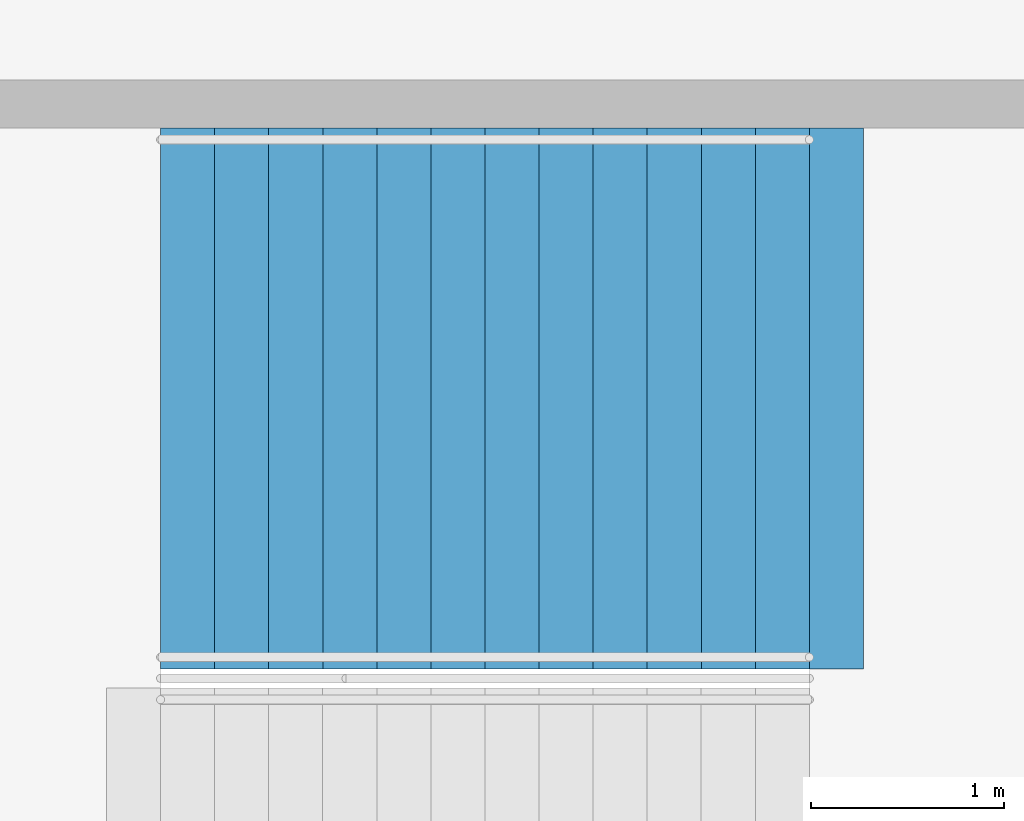
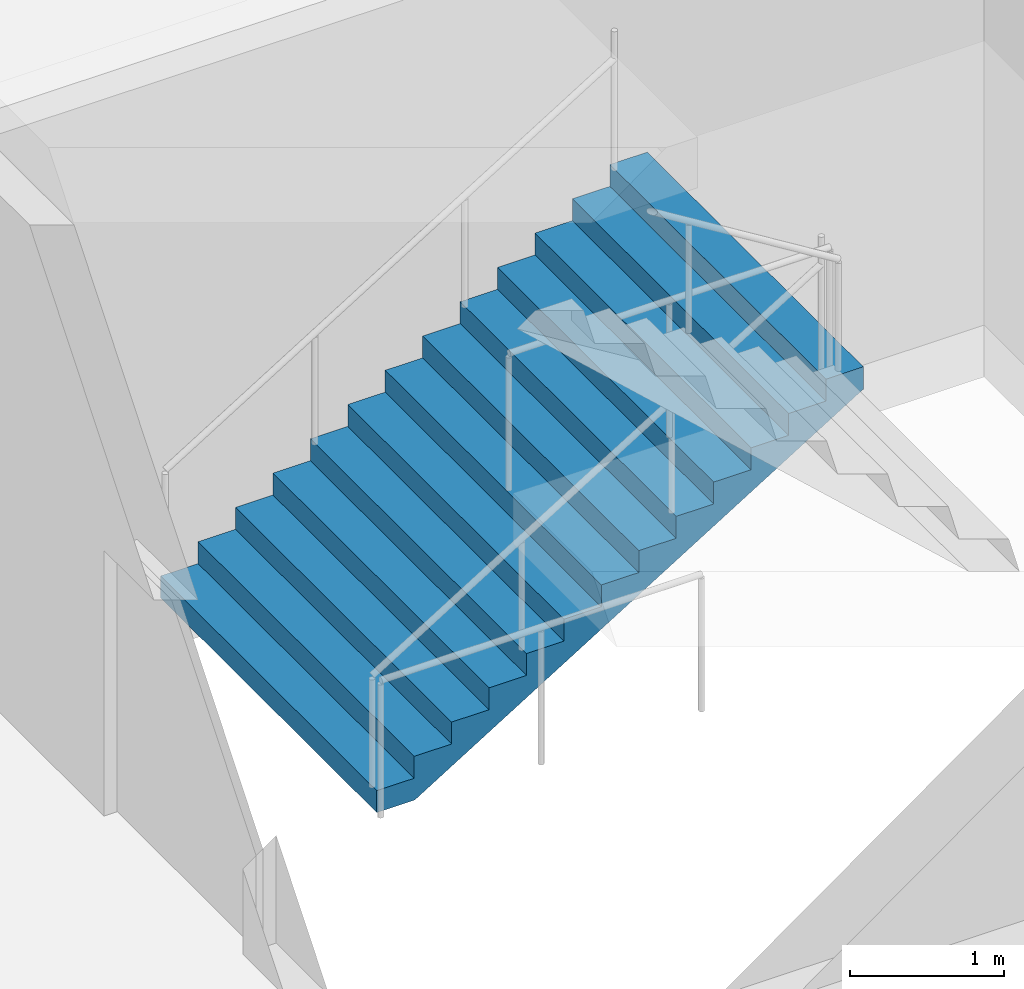
# One storey, part 144 of 199: 1 stair flight, 1 element without a shape of its own.
"""IFC4 building model written with IfcOpenShell, lengths in metres."""

import ifcopenshell
import ifcopenshell.guid

model = None  # the IFC model being written
_history = None  # IfcOwnerHistory: only IFC2X3 demands one
_inside = {}  # id of a spatial element -> (the spatial element, [elements in it])
_under = {}  # id of a project, library or spatial element -> (it, [spatial elements below it])
_declared = {}  # id of a project -> (the project, [libraries it declares])
_typed = {}  # id of a type object -> (the type object, [elements of that type])
_made_of = {}  # id of a material, layer set ... -> (it, [elements and type objects made of it])


def new_model(schema):
    """Start an empty IFC model of exactly this schema.

    Asked for "IFC4X3", IfcOpenShell would pick the latest addendum, in which some entities
    have other attributes; the version numbers below select the first issue.
    IFC2X3 requires an IfcOwnerHistory on every rooted entity: one is made here for all.
    """
    global model, _history
    if schema == "IFC4X3":
        model = ifcopenshell.file(schema_version=(4, 3, 0, 0))
    else:
        model = ifcopenshell.file(schema=schema)
    _inside.clear()
    _under.clear()
    _declared.clear()
    _typed.clear()
    _made_of.clear()
    _history = None
    if model.schema == "IFC2X3":
        org = make("IfcOrganization", Name="unknown")
        user = make(
            "IfcPersonAndOrganization",
            ThePerson=make("IfcPerson", FamilyName="unknown"),
            TheOrganization=org,
        )
        app = make(
            "IfcApplication",
            ApplicationDeveloper=org,
            Version="unknown",
            ApplicationFullName="unknown",
            ApplicationIdentifier="unknown",
        )
        _history = make(
            "IfcOwnerHistory",
            OwningUser=user,
            OwningApplication=app,
            ChangeAction="ADDED",
            CreationDate=0,
        )
    return model


def make(cls, **values):
    """One entity of the class cls with the attributes given. An attribute that is None is left unset."""
    return model.create_entity(
        cls, **{name: value for name, value in values.items() if value is not None}
    )


def rooted(cls, **values):
    """An entity with a GlobalId (a new one), such as an element, a storey or a relation."""
    return make(cls, GlobalId=ifcopenshell.guid.new(), OwnerHistory=_history, **values)


def si_unit(unit_type, name, prefix=None):
    """IfcSIUnit, for example si_unit("LENGTHUNIT", "METRE", prefix="MILLI")."""
    return make("IfcSIUnit", UnitType=unit_type, Prefix=prefix, Name=name)


def assignment(units):
    """IfcUnitAssignment: the units of a project."""
    return None if units is None else make("IfcUnitAssignment", Units=units)


def point(xyz):
    """IfcCartesianPoint."""
    return None if xyz is None else make("IfcCartesianPoint", Coordinates=xyz)


def direction(xyz):
    """IfcDirection."""
    return None if xyz is None else make("IfcDirection", DirectionRatios=xyz)


def frame(location, z_axis=None, x_axis=None):
    """IfcAxis2Placement3D, a coordinate frame: its origin and axes. An axis left out is left unset."""
    return make(
        "IfcAxis2Placement3D",
        Location=point(location),
        Axis=direction(z_axis),
        RefDirection=direction(x_axis),
    )


def origin():
    """The frame at (0, 0, 0) with its axes left unset."""
    return frame((0.0, 0.0, 0.0))


def place(relative_to, where):
    """IfcLocalPlacement: puts the frame where relative to a parent placement (None: the world)."""
    return make(
        "IfcLocalPlacement", PlacementRelTo=relative_to, RelativePlacement=where
    )


def context(
    kind, dimensions, precision=None, world=None, true_north=None, identifier=None
):
    """IfcGeometricRepresentationContext, for example the 3D "Model" context."""
    return make(
        "IfcGeometricRepresentationContext",
        ContextIdentifier=identifier,
        ContextType=kind,
        CoordinateSpaceDimension=dimensions,
        Precision=precision,
        WorldCoordinateSystem=world,
        TrueNorth=true_north,
    )


def subcontext(parent, identifier, kind, view, scale=None):
    """IfcGeometricRepresentationSubContext, for example "Body" below "Model"."""
    return make(
        "IfcGeometricRepresentationSubContext",
        ContextIdentifier=identifier,
        ContextType=kind,
        ParentContext=parent,
        TargetScale=scale,
        TargetView=view,
    )


def project(units=None, contexts=None):
    """IfcProject with its units and contexts."""
    return rooted(
        "IfcProject",
        Name="project",
        RepresentationContexts=contexts,
        UnitsInContext=assignment(units),
    )


def spatial(cls, under=None, at=None, **own):
    """A site, building, storey or space (cls), placed at a placement, below another one or the project."""
    s = rooted(cls, ObjectPlacement=at, **own)
    if under is not None:
        _under.setdefault(under.id(), (under, []))[1].append(s)
    return s


def faces_of(points, faces, orient=None, outer=None):
    """IfcFace entities. A face is a list of loops; a loop is a list of indices into points, from 0.

    orient and outer hold one flag for each loop. By default every Orientation is true, the
    first loop of a face is its IfcFaceOuterBound and the others are IfcFaceBound.
    """
    made = []
    for i, loops in enumerate(faces):
        bounds = []
        for j, loop in enumerate(loops):
            is_outer = j == 0 if outer is None else outer[i][j]
            bounds.append(
                make(
                    "IfcFaceOuterBound" if is_outer else "IfcFaceBound",
                    Bound=make("IfcPolyLoop", Polygon=[points[k] for k in loop]),
                    Orientation=True if orient is None else orient[i][j],
                )
            )
        made.append(make("IfcFace", Bounds=bounds))
    return made


def faceted_brep(points, faces, orient=None, outer=None, voids=None):
    """IfcFacetedBrep: a solid bounded by flat faces; with voids (closed shells), ...WithVoids."""
    shared = [point(p) for p in points]
    hull = make("IfcClosedShell", CfsFaces=faces_of(shared, faces, orient, outer))
    if voids is None:
        return make("IfcFacetedBrep", Outer=hull)
    return make(
        "IfcFacetedBrepWithVoids",
        Outer=hull,
        Voids=[
            make(cls, CfsFaces=faces_of(shared, fs, o, b)) for cls, fs, o, b in voids
        ],
    )


def shape(context_of_items, identifier, shape_type, items):
    """IfcShapeRepresentation: the items that make up one representation, for example the "Body"."""
    return make(
        "IfcShapeRepresentation",
        ContextOfItems=context_of_items,
        RepresentationIdentifier=identifier,
        RepresentationType=shape_type,
        Items=items,
    )


def material(Name=None, Category=None):
    """IfcMaterial."""
    return make("IfcMaterial", Name=Name, Category=Category)


def made_of(thing, what):
    """Note that an element or type object is made of a material, layer set ...; save() writes the relation."""
    if what is not None:
        _made_of.setdefault(what.id(), (what, []))[1].append(thing)
    return thing


def type_object(cls, material=None, **own):
    """A type object (cls), such as IfcWallType, which elements share."""
    return made_of(rooted(cls, **own), material)


def element(
    cls,
    number,
    at=None,
    inside=None,
    cuts=None,
    type_object=None,
    material=None,
    context=None,
    identifier="Body",
    shape_type=None,
    held_by="IfcProductDefinitionShape",
    body=None,
    shapes=None,
    **own,
):
    """One element of the class cls, such as IfcWall. Its Tag is "e" and its number.

    at: its placement. inside: the storey or other place that contains it. cuts: it is an
    opening in that element (IfcRelVoidsElement). A single representation is given by context,
    identifier, shape_type and body (its items); several are given by shapes. held_by: the class
    of the entity that holds the representations. save() writes the other relations.
    """
    e = rooted(cls, Tag="e%d" % number, ObjectPlacement=at, **own)
    if body is not None:
        shapes = [shape(context, identifier, shape_type, body)]
    if shapes is not None:
        e.Representation = make(held_by, Representations=shapes)
    if inside is not None:
        _inside.setdefault(inside.id(), (inside, []))[1].append(e)
    if cuts is not None:
        rooted(
            "IfcRelVoidsElement", RelatingBuildingElement=cuts, RelatedOpeningElement=e
        )
    if type_object is not None:
        _typed.setdefault(type_object.id(), (type_object, []))[1].append(e)
    return made_of(e, material)


def aggregate(whole, parts):
    """IfcRelAggregates: a whole, such as a stair, and the parts it consists of."""
    return rooted("IfcRelAggregates", RelatingObject=whole, RelatedObjects=parts)


def save(model, path):
    """Write the relations noted so far, then the file.

    IfcRelAggregates (storeys below a building ...), IfcRelContainedInSpatialStructure (elements
    in a storey), IfcRelDefinesByType, IfcRelAssociatesMaterial and IfcRelDeclares: one each for
    every whole, place, type object, material and project.
    """
    for whole, parts in _under.values():
        aggregate(whole, parts)
    for where, things in _inside.values():
        rooted(
            "IfcRelContainedInSpatialStructure",
            RelatedElements=things,
            RelatingStructure=where,
        )
    for kind, things in _typed.values():
        rooted("IfcRelDefinesByType", RelatedObjects=things, RelatingType=kind)
    for what, things in _made_of.values():
        rooted("IfcRelAssociatesMaterial", RelatedObjects=things, RelatingMaterial=what)
    for by, libraries in _declared.values():
        rooted("IfcRelDeclares", RelatingContext=by, RelatedDefinitions=libraries)
    model.write(path)


model = new_model("IFC4")

# Units and contexts
model_context = context("Model", 3, precision=1e-05, world=origin(), true_north=direction((0.0, 1.0)))
body_context = subcontext(model_context, "Body", "Model", "MODEL_VIEW")
ifc_project = project(units=[si_unit("LENGTHUNIT", "METRE"), si_unit("AREAUNIT", "SQUARE_METRE"), si_unit("VOLUMEUNIT", "CUBIC_METRE"), si_unit("PLANEANGLEUNIT", "RADIAN"), si_unit("MASSUNIT", "GRAM", prefix="KILO")], contexts=[model_context])

# Site, building, storey
site_placement = place(None, origin())
site = spatial("IfcSite", under=ifc_project, at=site_placement, CompositionType="ELEMENT")
building_placement = place(site_placement, origin())
building = spatial("IfcBuilding", under=site, at=building_placement, Name="Ogive Plaza Stadium", CompositionType="ELEMENT")
storey_placement = place(building_placement, frame((0.0, 0.0, 4.5)))
storey = spatial("IfcBuildingStorey", under=building, at=storey_placement, Name="L01", CompositionType="ELEMENT", Elevation=4.5)

# Stair, stair flight
ifc_material_1 = material(Name="Concrete C40/50", Category="concrete")
stair_type = type_object("IfcStairType", Name="Exit stair", PredefinedType="STRAIGHT_RUN_STAIR", material=ifc_material_1)
stair_placement = place(storey_placement, origin())
stair = element("IfcStair", 1, at=stair_placement, inside=storey, type_object=stair_type, Name="Exit stair ST08B L01 to L02", PredefinedType="STRAIGHT_RUN_STAIR")
ifc_material_2 = material(Name="Concrete C40/50", Category="concrete")
stair_flight_type = type_object("IfcStairFlightType", Name="Exit stair flight", PredefinedType="STRAIGHT", material=ifc_material_2)
stair_flight_placement = place(storey_placement, frame((76.35009765625, -48.074951171875, 0.0), z_axis=(0.0, 0.0, 1.0), x_axis=(1.0, 0.0, 0.0)))
stair_flight = element("IfcStairFlight", 2, at=stair_flight_placement, type_object=stair_flight_type, Name="ST08B flight 1", NumberOfRisers=13, NumberOfTreads=12, PredefinedType="STRAIGHT", RiserHeight=0.173076923, TreadLength=0.28, context=body_context, shape_type="Brep", body=[
    faceted_brep([(0.28515625, -1.39990234375, 0.0), (3.639892578125, -1.39990234375, 2.07373046875), (3.639892578125, -1.39990234375, 2.25), (3.360107421875, -1.39990234375, 2.25), (3.360107421875, -1.39990234375, 2.076904296875), (3.080078125, -1.39990234375, 2.076904296875), (3.080078125, -1.39990234375, 1.90380859375), (2.800048828125, -1.39990234375, 1.90380859375), (2.800048828125, -1.39990234375, 1.730712890625), (2.52001953125, -1.39990234375, 1.730712890625), (2.52001953125, -1.39990234375, 1.5576171875), (2.239990234375, -1.39990234375, 1.5576171875), (2.239990234375, -1.39990234375, 1.384521484375), (1.9599609375, -1.39990234375, 1.384521484375), (1.9599609375, -1.39990234375, 1.21142578125), (1.679931640625, -1.39990234375, 1.21142578125), (1.679931640625, -1.39990234375, 1.03857421875), (1.39990234375, -1.39990234375, 1.03857421875), (1.39990234375, -1.39990234375, 0.865478515625), (1.1201171875, -1.39990234375, 0.865478515625), (1.1201171875, -1.39990234375, 0.6923828125), (0.840087890625, -1.39990234375, 0.6923828125), (0.840087890625, -1.39990234375, 0.519287109375), (0.56005859375, -1.39990234375, 0.519287109375), (0.56005859375, -1.39990234375, 0.34619140625), (0.280029296875, -1.39990234375, 0.34619140625), (0.280029296875, -1.39990234375, 0.173095703125), (0.0, -1.39990234375, 0.173095703125), (0.0, -1.39990234375, 0.0), (0.0, 1.39990234375, 0.0), (0.0, 1.39990234375, 0.173095703125), (0.280029296875, 1.39990234375, 0.173095703125), (0.280029296875, 1.39990234375, 0.34619140625), (0.56005859375, 1.39990234375, 0.34619140625), (0.56005859375, 1.39990234375, 0.519287109375), (0.840087890625, 1.39990234375, 0.519287109375), (0.840087890625, 1.39990234375, 0.6923828125), (1.1201171875, 1.39990234375, 0.6923828125), (1.1201171875, 1.39990234375, 0.865478515625), (1.39990234375, 1.39990234375, 0.865478515625), (1.39990234375, 1.39990234375, 1.03857421875), (1.679931640625, 1.39990234375, 1.03857421875), (1.679931640625, 1.39990234375, 1.21142578125), (1.9599609375, 1.39990234375, 1.21142578125), (1.9599609375, 1.39990234375, 1.384521484375), (2.239990234375, 1.39990234375, 1.384521484375), (2.239990234375, 1.39990234375, 1.5576171875), (2.52001953125, 1.39990234375, 1.5576171875), (2.52001953125, 1.39990234375, 1.730712890625), (2.800048828125, 1.39990234375, 1.730712890625), (2.800048828125, 1.39990234375, 1.90380859375), (3.080078125, 1.39990234375, 1.90380859375), (3.080078125, 1.39990234375, 2.076904296875), (3.360107421875, 1.39990234375, 2.076904296875), (3.360107421875, 1.39990234375, 2.25), (3.639892578125, 1.39990234375, 2.25), (3.639892578125, 1.39990234375, 2.07373046875), (0.28515625, 1.39990234375, 0.0), (0.28515625, -1.0888671875, 0.0), (3.639892578125, -1.0888671875, 2.07373046875), (0.28515625, -0.77783203125, 0.0), (3.639892578125, -0.77783203125, 2.07373046875), (0.28515625, -0.466796875, 0.0), (3.639892578125, -0.466796875, 2.07373046875), (0.28515625, -0.155517578125, 0.0), (3.639892578125, -0.155517578125, 2.07373046875), (0.28515625, 0.155517578125, 0.0), (3.639892578125, 0.155517578125, 2.07373046875), (0.28515625, 0.466796875, 0.0), (3.639892578125, 0.466796875, 2.07373046875), (0.28515625, 0.77783203125, 0.0), (3.639892578125, 0.77783203125, 2.07373046875), (0.28515625, 1.0888671875, 0.0), (3.639892578125, 1.0888671875, 2.07373046875), (3.639892578125, -1.0888671875, 2.25), (3.639892578125, -0.77783203125, 2.25), (3.639892578125, -0.466796875, 2.25), (3.639892578125, -0.155517578125, 2.25), (3.639892578125, 0.155517578125, 2.25), (3.639892578125, 0.466796875, 2.25), (3.639892578125, 0.77783203125, 2.25), (3.639892578125, 1.0888671875, 2.25), (3.360107421875, -1.0888671875, 2.25), (3.360107421875, -0.77783203125, 2.25), (3.360107421875, -0.466796875, 2.25), (3.360107421875, -0.155517578125, 2.25), (3.360107421875, 0.155517578125, 2.25), (3.360107421875, 0.466796875, 2.25), (3.360107421875, 0.77783203125, 2.25), (3.360107421875, 1.0888671875, 2.25), (3.360107421875, -1.0888671875, 2.076904296875), (3.360107421875, -0.77783203125, 2.076904296875), (3.360107421875, -0.466796875, 2.076904296875), (3.360107421875, -0.155517578125, 2.076904296875), (3.360107421875, 0.155517578125, 2.076904296875), (3.360107421875, 0.466796875, 2.076904296875), (3.360107421875, 0.77783203125, 2.076904296875), (3.360107421875, 1.0888671875, 2.076904296875), (3.080078125, -1.0888671875, 2.076904296875), (3.080078125, -0.77783203125, 2.076904296875), (3.080078125, -0.466796875, 2.076904296875), (3.080078125, -0.155517578125, 2.076904296875), (3.080078125, 0.155517578125, 2.076904296875), (3.080078125, 0.466796875, 2.076904296875), (3.080078125, 0.77783203125, 2.076904296875), (3.080078125, 1.0888671875, 2.076904296875), (3.080078125, -1.0888671875, 1.90380859375), (3.080078125, -0.77783203125, 1.90380859375), (3.080078125, -0.466796875, 1.90380859375), (3.080078125, -0.155517578125, 1.90380859375), (3.080078125, 0.155517578125, 1.90380859375), (3.080078125, 0.466796875, 1.90380859375), (3.080078125, 0.77783203125, 1.90380859375), (3.080078125, 1.0888671875, 1.90380859375), (2.800048828125, -1.0888671875, 1.90380859375), (2.800048828125, -0.77783203125, 1.90380859375), (2.800048828125, -0.466796875, 1.90380859375), (2.800048828125, -0.155517578125, 1.90380859375), (2.800048828125, 0.155517578125, 1.90380859375), (2.800048828125, 0.466796875, 1.90380859375), (2.800048828125, 0.77783203125, 1.90380859375), (2.800048828125, 1.0888671875, 1.90380859375), (2.800048828125, -1.0888671875, 1.730712890625), (2.800048828125, -0.77783203125, 1.730712890625), (2.800048828125, -0.466796875, 1.730712890625), (2.800048828125, -0.155517578125, 1.730712890625), (2.800048828125, 0.155517578125, 1.730712890625), (2.800048828125, 0.466796875, 1.730712890625), (2.800048828125, 0.77783203125, 1.730712890625), (2.800048828125, 1.0888671875, 1.730712890625), (2.52001953125, -1.0888671875, 1.730712890625), (2.52001953125, -0.77783203125, 1.730712890625), (2.52001953125, -0.466796875, 1.730712890625), (2.52001953125, -0.155517578125, 1.730712890625), (2.52001953125, 0.155517578125, 1.730712890625), (2.52001953125, 0.466796875, 1.730712890625), (2.52001953125, 0.77783203125, 1.730712890625), (2.52001953125, 1.0888671875, 1.730712890625), (2.52001953125, -1.0888671875, 1.5576171875), (2.52001953125, -0.77783203125, 1.5576171875), (2.52001953125, -0.466796875, 1.5576171875), (2.52001953125, -0.155517578125, 1.5576171875), (2.52001953125, 0.155517578125, 1.5576171875), (2.52001953125, 0.466796875, 1.5576171875), (2.52001953125, 0.77783203125, 1.5576171875), (2.52001953125, 1.0888671875, 1.5576171875), (2.239990234375, -1.0888671875, 1.5576171875), (2.239990234375, -0.77783203125, 1.5576171875), (2.239990234375, -0.466796875, 1.5576171875), (2.239990234375, -0.155517578125, 1.5576171875), (2.239990234375, 0.155517578125, 1.5576171875), (2.239990234375, 0.466796875, 1.5576171875), (2.239990234375, 0.77783203125, 1.5576171875), (2.239990234375, 1.0888671875, 1.5576171875), (2.239990234375, -1.0888671875, 1.384521484375), (2.239990234375, -0.77783203125, 1.384521484375), (2.239990234375, -0.466796875, 1.384521484375), (2.239990234375, -0.155517578125, 1.384521484375), (2.239990234375, 0.155517578125, 1.384521484375), (2.239990234375, 0.466796875, 1.384521484375), (2.239990234375, 0.77783203125, 1.384521484375), (2.239990234375, 1.0888671875, 1.384521484375), (1.9599609375, -1.0888671875, 1.384521484375), (1.9599609375, -0.77783203125, 1.384521484375), (1.9599609375, -0.466796875, 1.384521484375), (1.9599609375, -0.155517578125, 1.384521484375), (1.9599609375, 0.155517578125, 1.384521484375), (1.9599609375, 0.466796875, 1.384521484375), (1.9599609375, 0.77783203125, 1.384521484375), (1.9599609375, 1.0888671875, 1.384521484375), (1.9599609375, -1.0888671875, 1.21142578125), (1.9599609375, -0.77783203125, 1.21142578125), (1.9599609375, -0.466796875, 1.21142578125), (1.9599609375, -0.155517578125, 1.21142578125), (1.9599609375, 0.155517578125, 1.21142578125), (1.9599609375, 0.466796875, 1.21142578125), (1.9599609375, 0.77783203125, 1.21142578125), (1.9599609375, 1.0888671875, 1.21142578125), (1.679931640625, -1.0888671875, 1.21142578125), (1.679931640625, -0.77783203125, 1.21142578125), (1.679931640625, -0.466796875, 1.21142578125), (1.679931640625, -0.155517578125, 1.21142578125), (1.679931640625, 0.155517578125, 1.21142578125), (1.679931640625, 0.466796875, 1.21142578125), (1.679931640625, 0.77783203125, 1.21142578125), (1.679931640625, 1.0888671875, 1.21142578125), (1.679931640625, -1.0888671875, 1.03857421875), (1.679931640625, -0.77783203125, 1.03857421875), (1.679931640625, -0.466796875, 1.03857421875), (1.679931640625, -0.155517578125, 1.03857421875), (1.679931640625, 0.155517578125, 1.03857421875), (1.679931640625, 0.466796875, 1.03857421875), (1.679931640625, 0.77783203125, 1.03857421875), (1.679931640625, 1.0888671875, 1.03857421875), (1.39990234375, -1.0888671875, 1.03857421875), (1.39990234375, -0.77783203125, 1.03857421875), (1.39990234375, -0.466796875, 1.03857421875), (1.39990234375, -0.155517578125, 1.03857421875), (1.39990234375, 0.155517578125, 1.03857421875), (1.39990234375, 0.466796875, 1.03857421875), (1.39990234375, 0.77783203125, 1.03857421875), (1.39990234375, 1.0888671875, 1.03857421875), (1.39990234375, -1.0888671875, 0.865478515625), (1.39990234375, -0.77783203125, 0.865478515625), (1.39990234375, -0.466796875, 0.865478515625), (1.39990234375, -0.155517578125, 0.865478515625), (1.39990234375, 0.155517578125, 0.865478515625), (1.39990234375, 0.466796875, 0.865478515625), (1.39990234375, 0.77783203125, 0.865478515625), (1.39990234375, 1.0888671875, 0.865478515625), (1.1201171875, -1.0888671875, 0.865478515625), (1.1201171875, -0.77783203125, 0.865478515625), (1.1201171875, -0.466796875, 0.865478515625), (1.1201171875, -0.155517578125, 0.865478515625), (1.1201171875, 0.155517578125, 0.865478515625), (1.1201171875, 0.466796875, 0.865478515625), (1.1201171875, 0.77783203125, 0.865478515625), (1.1201171875, 1.0888671875, 0.865478515625), (1.1201171875, -1.0888671875, 0.6923828125), (1.1201171875, -0.77783203125, 0.6923828125), (1.1201171875, -0.466796875, 0.6923828125), (1.1201171875, -0.155517578125, 0.6923828125), (1.1201171875, 0.155517578125, 0.6923828125), (1.1201171875, 0.466796875, 0.6923828125), (1.1201171875, 0.77783203125, 0.6923828125), (1.1201171875, 1.0888671875, 0.6923828125), (0.840087890625, -1.0888671875, 0.6923828125), (0.840087890625, -0.77783203125, 0.6923828125), (0.840087890625, -0.466796875, 0.6923828125), (0.840087890625, -0.155517578125, 0.6923828125), (0.840087890625, 0.155517578125, 0.6923828125), (0.840087890625, 0.466796875, 0.6923828125), (0.840087890625, 0.77783203125, 0.6923828125), (0.840087890625, 1.0888671875, 0.6923828125), (0.840087890625, -1.0888671875, 0.519287109375), (0.840087890625, -0.77783203125, 0.519287109375), (0.840087890625, -0.466796875, 0.519287109375), (0.840087890625, -0.155517578125, 0.519287109375), (0.840087890625, 0.155517578125, 0.519287109375), (0.840087890625, 0.466796875, 0.519287109375), (0.840087890625, 0.77783203125, 0.519287109375), (0.840087890625, 1.0888671875, 0.519287109375), (0.56005859375, -1.0888671875, 0.519287109375), (0.56005859375, -0.77783203125, 0.519287109375), (0.56005859375, -0.466796875, 0.519287109375), (0.56005859375, -0.155517578125, 0.519287109375), (0.56005859375, 0.155517578125, 0.519287109375), (0.56005859375, 0.466796875, 0.519287109375), (0.56005859375, 0.77783203125, 0.519287109375), (0.56005859375, 1.0888671875, 0.519287109375), (0.56005859375, -1.0888671875, 0.34619140625), (0.56005859375, -0.77783203125, 0.34619140625), (0.56005859375, -0.466796875, 0.34619140625), (0.56005859375, -0.155517578125, 0.34619140625), (0.56005859375, 0.155517578125, 0.34619140625), (0.56005859375, 0.466796875, 0.34619140625), (0.56005859375, 0.77783203125, 0.34619140625), (0.56005859375, 1.0888671875, 0.34619140625), (0.280029296875, -1.0888671875, 0.34619140625), (0.280029296875, -0.77783203125, 0.34619140625), (0.280029296875, -0.466796875, 0.34619140625), (0.280029296875, -0.155517578125, 0.34619140625), (0.280029296875, 0.155517578125, 0.34619140625), (0.280029296875, 0.466796875, 0.34619140625), (0.280029296875, 0.77783203125, 0.34619140625), (0.280029296875, 1.0888671875, 0.34619140625), (0.280029296875, -1.0888671875, 0.173095703125), (0.280029296875, -0.77783203125, 0.173095703125), (0.280029296875, -0.466796875, 0.173095703125), (0.280029296875, -0.155517578125, 0.173095703125), (0.280029296875, 0.155517578125, 0.173095703125), (0.280029296875, 0.466796875, 0.173095703125), (0.280029296875, 0.77783203125, 0.173095703125), (0.280029296875, 1.0888671875, 0.173095703125), (0.0, -1.0888671875, 0.173095703125), (0.0, -0.77783203125, 0.173095703125), (0.0, -0.466796875, 0.173095703125), (0.0, -0.155517578125, 0.173095703125), (0.0, 0.155517578125, 0.173095703125), (0.0, 0.466796875, 0.173095703125), (0.0, 0.77783203125, 0.173095703125), (0.0, 1.0888671875, 0.173095703125), (0.0, -1.0888671875, 0.0), (0.0, -0.77783203125, 0.0), (0.0, -0.466796875, 0.0), (0.0, -0.155517578125, 0.0), (0.0, 0.155517578125, 0.0), (0.0, 0.466796875, 0.0), (0.0, 0.77783203125, 0.0), (0.0, 1.0888671875, 0.0)], [[[0, 1, 2, 3, 4, 5, 6, 7, 8, 9, 10, 11, 12, 13, 14, 15, 16, 17, 18, 19, 20, 21, 22, 23, 24, 25, 26, 27, 28]], [[29, 30, 31, 32, 33, 34, 35, 36, 37, 38, 39, 40, 41, 42, 43, 44, 45, 46, 47, 48, 49, 50, 51, 52, 53, 54, 55, 56, 57]], [[0, 58, 59, 1]], [[58, 60, 61, 59]], [[60, 62, 63, 61]], [[62, 64, 65, 63]], [[64, 66, 67, 65]], [[66, 68, 69, 67]], [[68, 70, 71, 69]], [[70, 72, 73, 71]], [[72, 57, 56, 73]], [[1, 59, 74, 2]], [[59, 61, 75, 74]], [[61, 63, 76, 75]], [[63, 65, 77, 76]], [[65, 67, 78, 77]], [[67, 69, 79, 78]], [[69, 71, 80, 79]], [[71, 73, 81, 80]], [[73, 56, 55, 81]], [[2, 74, 82, 3]], [[74, 75, 83, 82]], [[75, 76, 84, 83]], [[76, 77, 85, 84]], [[77, 78, 86, 85]], [[78, 79, 87, 86]], [[79, 80, 88, 87]], [[80, 81, 89, 88]], [[81, 55, 54, 89]], [[3, 82, 90, 4]], [[82, 83, 91, 90]], [[83, 84, 92, 91]], [[84, 85, 93, 92]], [[85, 86, 94, 93]], [[86, 87, 95, 94]], [[87, 88, 96, 95]], [[88, 89, 97, 96]], [[89, 54, 53, 97]], [[4, 90, 98, 5]], [[90, 91, 99, 98]], [[91, 92, 100, 99]], [[92, 93, 101, 100]], [[93, 94, 102, 101]], [[94, 95, 103, 102]], [[95, 96, 104, 103]], [[96, 97, 105, 104]], [[97, 53, 52, 105]], [[5, 98, 106, 6]], [[98, 99, 107, 106]], [[99, 100, 108, 107]], [[100, 101, 109, 108]], [[101, 102, 110, 109]], [[102, 103, 111, 110]], [[103, 104, 112, 111]], [[104, 105, 113, 112]], [[105, 52, 51, 113]], [[6, 106, 114, 7]], [[106, 107, 115, 114]], [[107, 108, 116, 115]], [[108, 109, 117, 116]], [[109, 110, 118, 117]], [[110, 111, 119, 118]], [[111, 112, 120, 119]], [[112, 113, 121, 120]], [[113, 51, 50, 121]], [[7, 114, 122, 8]], [[114, 115, 123, 122]], [[115, 116, 124, 123]], [[116, 117, 125, 124]], [[117, 118, 126, 125]], [[118, 119, 127, 126]], [[119, 120, 128, 127]], [[120, 121, 129, 128]], [[121, 50, 49, 129]], [[8, 122, 130, 9]], [[122, 123, 131, 130]], [[123, 124, 132, 131]], [[124, 125, 133, 132]], [[125, 126, 134, 133]], [[126, 127, 135, 134]], [[127, 128, 136, 135]], [[128, 129, 137, 136]], [[129, 49, 48, 137]], [[9, 130, 138, 10]], [[130, 131, 139, 138]], [[131, 132, 140, 139]], [[132, 133, 141, 140]], [[133, 134, 142, 141]], [[134, 135, 143, 142]], [[135, 136, 144, 143]], [[136, 137, 145, 144]], [[137, 48, 47, 145]], [[10, 138, 146, 11]], [[138, 139, 147, 146]], [[139, 140, 148, 147]], [[140, 141, 149, 148]], [[141, 142, 150, 149]], [[142, 143, 151, 150]], [[143, 144, 152, 151]], [[144, 145, 153, 152]], [[145, 47, 46, 153]], [[11, 146, 154, 12]], [[146, 147, 155, 154]], [[147, 148, 156, 155]], [[148, 149, 157, 156]], [[149, 150, 158, 157]], [[150, 151, 159, 158]], [[151, 152, 160, 159]], [[152, 153, 161, 160]], [[153, 46, 45, 161]], [[12, 154, 162, 13]], [[154, 155, 163, 162]], [[155, 156, 164, 163]], [[156, 157, 165, 164]], [[157, 158, 166, 165]], [[158, 159, 167, 166]], [[159, 160, 168, 167]], [[160, 161, 169, 168]], [[161, 45, 44, 169]], [[13, 162, 170, 14]], [[162, 163, 171, 170]], [[163, 164, 172, 171]], [[164, 165, 173, 172]], [[165, 166, 174, 173]], [[166, 167, 175, 174]], [[167, 168, 176, 175]], [[168, 169, 177, 176]], [[169, 44, 43, 177]], [[14, 170, 178, 15]], [[170, 171, 179, 178]], [[171, 172, 180, 179]], [[172, 173, 181, 180]], [[173, 174, 182, 181]], [[174, 175, 183, 182]], [[175, 176, 184, 183]], [[176, 177, 185, 184]], [[177, 43, 42, 185]], [[15, 178, 186, 16]], [[178, 179, 187, 186]], [[179, 180, 188, 187]], [[180, 181, 189, 188]], [[181, 182, 190, 189]], [[182, 183, 191, 190]], [[183, 184, 192, 191]], [[184, 185, 193, 192]], [[185, 42, 41, 193]], [[16, 186, 194, 17]], [[186, 187, 195, 194]], [[187, 188, 196, 195]], [[188, 189, 197, 196]], [[189, 190, 198, 197]], [[190, 191, 199, 198]], [[191, 192, 200, 199]], [[192, 193, 201, 200]], [[193, 41, 40, 201]], [[17, 194, 202, 18]], [[194, 195, 203, 202]], [[195, 196, 204, 203]], [[196, 197, 205, 204]], [[197, 198, 206, 205]], [[198, 199, 207, 206]], [[199, 200, 208, 207]], [[200, 201, 209, 208]], [[201, 40, 39, 209]], [[18, 202, 210, 19]], [[202, 203, 211, 210]], [[203, 204, 212, 211]], [[204, 205, 213, 212]], [[205, 206, 214, 213]], [[206, 207, 215, 214]], [[207, 208, 216, 215]], [[208, 209, 217, 216]], [[209, 39, 38, 217]], [[19, 210, 218, 20]], [[210, 211, 219, 218]], [[211, 212, 220, 219]], [[212, 213, 221, 220]], [[213, 214, 222, 221]], [[214, 215, 223, 222]], [[215, 216, 224, 223]], [[216, 217, 225, 224]], [[217, 38, 37, 225]], [[20, 218, 226, 21]], [[218, 219, 227, 226]], [[219, 220, 228, 227]], [[220, 221, 229, 228]], [[221, 222, 230, 229]], [[222, 223, 231, 230]], [[223, 224, 232, 231]], [[224, 225, 233, 232]], [[225, 37, 36, 233]], [[21, 226, 234, 22]], [[226, 227, 235, 234]], [[227, 228, 236, 235]], [[228, 229, 237, 236]], [[229, 230, 238, 237]], [[230, 231, 239, 238]], [[231, 232, 240, 239]], [[232, 233, 241, 240]], [[233, 36, 35, 241]], [[22, 234, 242, 23]], [[234, 235, 243, 242]], [[235, 236, 244, 243]], [[236, 237, 245, 244]], [[237, 238, 246, 245]], [[238, 239, 247, 246]], [[239, 240, 248, 247]], [[240, 241, 249, 248]], [[241, 35, 34, 249]], [[23, 242, 250, 24]], [[242, 243, 251, 250]], [[243, 244, 252, 251]], [[244, 245, 253, 252]], [[245, 246, 254, 253]], [[246, 247, 255, 254]], [[247, 248, 256, 255]], [[248, 249, 257, 256]], [[249, 34, 33, 257]], [[24, 250, 258, 25]], [[250, 251, 259, 258]], [[251, 252, 260, 259]], [[252, 253, 261, 260]], [[253, 254, 262, 261]], [[254, 255, 263, 262]], [[255, 256, 264, 263]], [[256, 257, 265, 264]], [[257, 33, 32, 265]], [[25, 258, 266, 26]], [[258, 259, 267, 266]], [[259, 260, 268, 267]], [[260, 261, 269, 268]], [[261, 262, 270, 269]], [[262, 263, 271, 270]], [[263, 264, 272, 271]], [[264, 265, 273, 272]], [[265, 32, 31, 273]], [[26, 266, 274, 27]], [[266, 267, 275, 274]], [[267, 268, 276, 275]], [[268, 269, 277, 276]], [[269, 270, 278, 277]], [[270, 271, 279, 278]], [[271, 272, 280, 279]], [[272, 273, 281, 280]], [[273, 31, 30, 281]], [[27, 274, 282, 28]], [[274, 275, 283, 282]], [[275, 276, 284, 283]], [[276, 277, 285, 284]], [[277, 278, 286, 285]], [[278, 279, 287, 286]], [[279, 280, 288, 287]], [[280, 281, 289, 288]], [[281, 30, 29, 289]], [[28, 282, 58, 0]], [[282, 283, 60, 58]], [[283, 284, 62, 60]], [[284, 285, 64, 62]], [[285, 286, 66, 64]], [[286, 287, 68, 66]], [[287, 288, 70, 68]], [[288, 289, 72, 70]], [[289, 29, 57, 72]]]),
])
aggregate(stair, [stair_flight])

save(model, "model.ifc")
